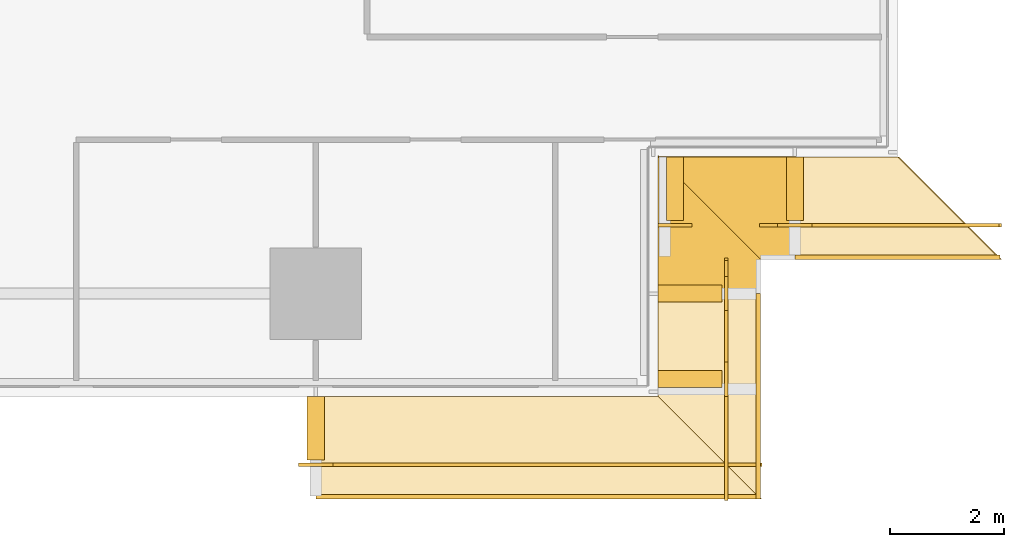
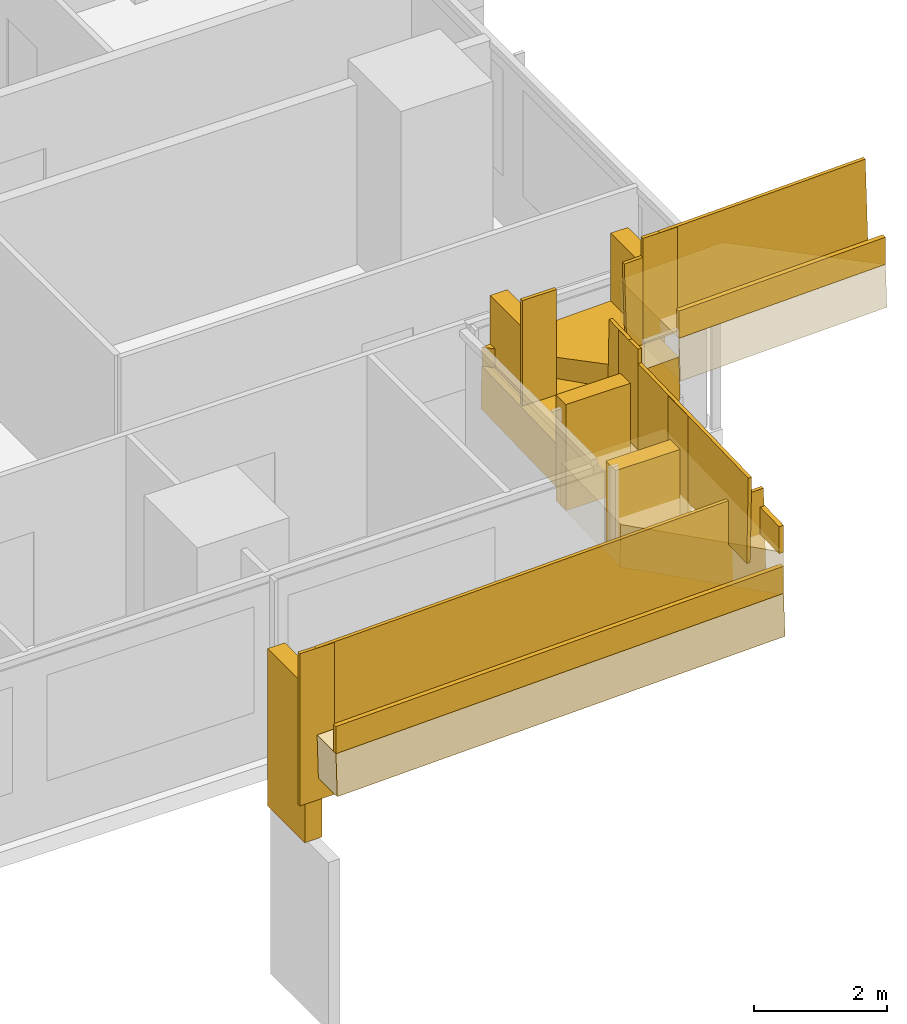
# One storey, part 28 of 30: 13 coverings, 10 railings.
"""IFC4 building model written with IfcOpenShell, lengths in metres."""

from ifc_helpers import new_model, si_unit, direction, frame, origin, origin_2d, place, context, subcontext, project, spatial, polyline, rectangle, outline, extrude, material, layer, layer_set, type_object, element, save


model = new_model("IFC4")

# Units and contexts
model_context = context("Model", 3, precision=1e-05, world=origin(), true_north=direction((0.0, 1.0)))
body_context = subcontext(model_context, "Body", "Model", "MODEL_VIEW")
ifc_project = project(units=[si_unit("LENGTHUNIT", "METRE"), si_unit("AREAUNIT", "SQUARE_METRE"), si_unit("VOLUMEUNIT", "CUBIC_METRE"), si_unit("PLANEANGLEUNIT", "RADIAN"), si_unit("MASSUNIT", "GRAM", prefix="KILO")], contexts=[model_context])

# Site, building, storey
site_placement = place(None, origin())
site = spatial("IfcSite", under=ifc_project, at=site_placement, CompositionType="ELEMENT")
building_placement = place(site_placement, origin())
building = spatial("IfcBuilding", under=site, at=building_placement, Name="Saffron Gate Tower", CompositionType="ELEMENT")
storey_placement = place(building_placement, frame((0.0, 0.0, 216.300048828125)))
storey = spatial("IfcBuildingStorey", under=building, at=storey_placement, Name="L52", CompositionType="ELEMENT", Elevation=216.300048828125)

# Coverings
ifc_material = material(Name="Timber, thermally modified ash", Category="wood")
ifc_layer_1 = layer(ifc_material, 0.800048828125)
ifc_layer_set_1 = layer_set([ifc_layer_1], Name="LD1 ledge timber")
covering_type_1 = type_object("IfcCoveringType", Name="LD1 ledge timber", PredefinedType="CLADDING", material=ifc_layer_set_1)
covering_1_placement = place(storey_placement, frame((117.0, 30.0, 1.2265625), z_axis=(-0.028789477025, -2.391759e-05, 0.999585496814), x_axis=(0.9995854971, 1.72e-10, 0.028789477033)))
element("IfcCovering", 1, at=covering_1_placement, inside=storey, type_object=covering_type_1, Name="LEDGE", PredefinedType="CLADDING", context=body_context, shape_type="SweptSolid", body=[
    extrude(outline(polyline([(0.0, 0.0), (6.002489288687248, 8.470329472543003e-22), (7.80328207139786, -1.8000488299785034), (-3.0879623774719253e-10, -1.8000488276101398), (0.0, 0.0)])), origin(), (0.0, 0.0, -1.0), 0.800048828125),
])
covering_2_placement = place(storey_placement, frame((123.0, 30.0, 2.2568359375), z_axis=(4.5191264e-05, -0.028786835276, 0.999585572161), x_axis=(2.041e-09, 0.999585573182, 0.028786835305)))
element("IfcCovering", 2, at=covering_2_placement, inside=storey, type_object=covering_type_1, Name="LEDGE", PredefinedType="CLADDING", context=body_context, shape_type="SweptSolid", body=[
    extrude(outline(polyline([(0.0, 0.0), (1.8007927832406818, 0.0), (1.8007927869153135, -1.800048826286925), (-1.8007998076020133, -1.8000488373153904), (0.0, 0.0)])), origin(), (0.0, 0.0, -1.0), 0.800048828125),
])
covering_3_placement = place(storey_placement, frame((123.0, 31.800048828125, 2.56591796875), z_axis=(-2.8677152e-05, -0.028798988267, 0.999585222706), x_axis=(-6.17e-10, 0.999585223117, 0.028798988279)))
element("IfcCovering", 3, at=covering_3_placement, inside=storey, type_object=covering_type_1, Name="LEDGE", PredefinedType="CLADDING", context=body_context, shape_type="SweptSolid", body=[
    extrude(outline(polyline([(0.0, 0.0), (2.400896693585025, 4.235164736271502e-22), (0.6001039103565923, -1.8000488292351675), (-1.1098572600196767e-09, -1.8000488273848385), (0.0, 0.0)])), origin(), (0.0, 0.0, -1.0), 0.800048828125),
])
covering_4_placement = place(storey_placement, frame((123.0, 34.199951171875, 2.97802734375), z_axis=(-0.028798988267, -2.8677152e-05, 0.999585222706), x_axis=(0.999585223117, -6.17e-10, 0.028798988279)))
element("IfcCovering", 4, at=covering_4_placement, inside=storey, type_object=covering_type_1, Name="LEDGE", PredefinedType="CLADDING", context=body_context, shape_type="SweptSolid", body=[
    extrude(outline(polyline([(0.0, 0.0), (2.400896693585025, -4.235164736271502e-22), (2.400896694694882, -1.8000488273848385), (1.8007927832284332, -1.8000488292351673), (0.0, 0.0)])), origin(), (0.0, 0.0, -1.0), 0.800048828125),
])
covering_5_placement = place(storey_placement, frame((125.39990234375, 34.199951171875, 3.39013671875), z_axis=(-0.028741681402, 0.0, 0.999586872538), x_axis=(0.999586872538, 0.0, 0.028741681402)))
element("IfcCovering", 5, at=covering_5_placement, inside=storey, type_object=covering_type_1, Name="LEDGE", PredefinedType="CLADDING", context=body_context, shape_type="SweptSolid", body=[
    extrude(outline(polyline([(0.0, 0.0), (1.8007927850779974, 0.0), (3.601585570155995, -1.800048828125), (0.0, -1.800048828125), (0.0, 0.0)])), origin(), (0.0, 0.0, -1.0), 0.800048828125),
])
ifc_layer_2 = layer(ifc_material, 0.080078125)
ifc_layer_set_2 = layer_set([ifc_layer_2], Name="LD2 ledge planter trough")
covering_type_2 = type_object("IfcCoveringType", Name="LD2 ledge planter trough", PredefinedType="CLADDING", material=ifc_layer_set_2)
covering_6_placement = place(storey_placement, frame((117.0, 28.199951171875, 1.2265625), z_axis=(0.0, -1.0, 0.0), x_axis=(0.999585655924, 0.0, 0.028783962047)))
element("IfcCovering", 6, at=covering_6_placement, inside=storey, type_object=covering_type_2, Name="LEDGE planter trough", PredefinedType="CLADDING", context=body_context, shape_type="SweptSolid", body=[
    extrude(outline(polyline([(0.0, 0.0), (7.803282071825423, 2.7755575615628914e-17), (7.817674052849086, 0.4997928279619612), (0.014391981023662846, 0.4997928279619612), (0.0, 0.0)])), origin(), (0.0, 0.0, -1.0), 0.080078125),
])
covering_7_placement = place(storey_placement, frame((124.800048828125, 28.199951171875, 2.204833984375), z_axis=(1.0, 0.0, 0.0), x_axis=(0.0, 0.99958492274, 0.028809412191)))
element("IfcCovering", 7, at=covering_7_placement, inside=storey, type_object=covering_type_2, Name="LEDGE planter trough", PredefinedType="CLADDING", context=body_context, shape_type="SweptSolid", body=[
    extrude(outline(polyline([(0.0, 0.0), (3.601592595435983, 0.0), (3.6159973015313485, 0.4997924613700232), (0.014404706095365512, 0.4997924613700232), (0.0, 0.0)])), origin(), (0.0, 0.0, -1.0), 0.080078125),
])
covering_8_placement = place(storey_placement, frame((125.39990234375, 32.39990234375, 3.39013671875), z_axis=(0.0, -1.0, 0.0), x_axis=(0.999586872538, 0.0, 0.028741681402)))
element("IfcCovering", 8, at=covering_8_placement, inside=storey, type_object=covering_type_2, Name="LEDGE planter trough", PredefinedType="CLADDING", context=body_context, shape_type="SweptSolid", body=[
    extrude(outline(polyline([(0.0, 0.0), (3.601585570155995, 0.0), (3.6159564108570694, 0.49979343626896944), (0.014370840701074394, 0.4997934362689694), (0.0, 0.0)])), origin(), (0.0, 0.0, -1.0), 0.080078125),
])
ifc_layer_3 = layer(ifc_material, 0.300048828125)
ifc_layer_set_3 = layer_set([ifc_layer_3], Name="LD3 ledge riser fin")
covering_type_3 = type_object("IfcCoveringType", Name="LD3 ledge riser fin", PredefinedType="CLADDING", material=ifc_layer_set_3)
covering_9_placement = place(storey_placement, frame((117.0, 29.43994140625, -0.77392578125), z_axis=(0.0, 0.0, 1.0), x_axis=(1.0, 0.0, 0.0)))
element("IfcCovering", 9, at=covering_9_placement, inside=storey, type_object=covering_type_3, Name="LEDGE riser fin", PredefinedType="CLADDING", context=body_context, shape_type="SweptSolid", body=[
    extrude(rectangle(XDim=0.300048828125, YDim=1.1201171875, at=origin_2d()), origin(), (0.0, 0.0, 1.0), 2.900390625),
])
covering_10_placement = place(storey_placement, frame((123.56005859375, 30.300048828125, 0.599609375), z_axis=(0.0, 0.0, 1.0), x_axis=(0.0, 1.0, 0.0)))
element("IfcCovering", 10, at=covering_10_placement, inside=storey, type_object=covering_type_3, Name="LEDGE riser fin", PredefinedType="CLADDING", context=body_context, shape_type="SweptSolid", body=[
    extrude(rectangle(XDim=0.300048828125, YDim=1.1201171875, at=origin_2d()), origin(), (0.0, 0.0, 1.0), 2.557373046875),
])
covering_11_placement = place(storey_placement, frame((123.56005859375, 31.800048828125, 1.5087890625), z_axis=(0.0, 0.0, 1.0), x_axis=(0.0, 1.0, 0.0)))
element("IfcCovering", 11, at=covering_11_placement, inside=storey, type_object=covering_type_3, Name="LEDGE riser fin", PredefinedType="CLADDING", context=body_context, shape_type="SweptSolid", body=[
    extrude(rectangle(XDim=0.300048828125, YDim=1.1201171875, at=origin_2d()), origin(), (0.0, 0.0, 1.0), 1.957275390625),
])
for number, where, z_axis, x_axis, name in (
    (12, (123.300048828125, 33.639892578125, 1.8349609375), (0.0, 0.0, 1.0), (1.0, 0.0, 0.0), "LEDGE riser fin"),
    (13, (125.39990234375, 33.639892578125, 2.2470703125), (0.0, 0.0, 1.0), (1.0, 0.0, 0.0), "LEDGE riser fin"),
):
    element("IfcCovering", number, at=place(storey_placement, frame(where, z_axis=z_axis, x_axis=x_axis)), inside=storey, type_object=covering_type_3, Name=name, PredefinedType="CLADDING", context=body_context, shape_type="SweptSolid", body=[
        extrude(rectangle(XDim=0.300048828125, YDim=1.1201171875, at=origin_2d()), origin(), (0.0, 0.0, 1.0), 2.04296875),
    ])

# Railings
railing_type = type_object("IfcRailingType", Name="LG1 ledge balustrade", PredefinedType="BALUSTRADE", material=ifc_material)
railing_1_placement = place(storey_placement, frame((117.0, 28.800048828125, 1.2265625)))
element("IfcRailing", 14, at=railing_1_placement, inside=storey, type_object=railing_type, Name="LEDGE BALUSTRADE", PredefinedType="BALUSTRADE", context=body_context, shape_type="SweptSolid", body=[
    extrude(rectangle(XDim=0.06005859375, YDim=1.60009765625, at=origin_2d()), frame((0.0, 0.0, 0.800048828125), z_axis=(0.999585655924, 0.0, 0.028783962047), x_axis=(0.0, 1.0, 0.0)), (0.0, 0.0, 1.0), 7.80322265625),
])
railing_2_placement = place(storey_placement, frame((116.699951171875, 28.800048828125, 0.026123046875)))
element("IfcRailing", 15, at=railing_2_placement, inside=storey, type_object=railing_type, Name="LEDGE BALUSTRADE", PredefinedType="BALUSTRADE", context=body_context, shape_type="SweptSolid", body=[
    extrude(rectangle(XDim=0.06005859375, YDim=2.80029296875, at=origin_2d()), frame((0.0, 0.0, 1.400146484375), z_axis=(1.0, 0.0, 0.0), x_axis=(0.0, 1.0, 0.0)), (0.0, 0.0, 1.0), 0.60009765625),
])
railing_3_placement = place(storey_placement, frame((124.199951171875, 28.199951171875, 2.204833984375)))
element("IfcRailing", 16, at=railing_3_placement, inside=storey, type_object=railing_type, Name="LEDGE BALUSTRADE", PredefinedType="BALUSTRADE", context=body_context, shape_type="SweptSolid", body=[
    extrude(rectangle(XDim=0.06005859375, YDim=1.60009765625, at=origin_2d()), frame((0.0, 0.0, 0.800048828125), z_axis=(0.0, 0.99958492274, 0.028809412191), x_axis=(-1.0, 0.0, 0.0)), (0.0, 0.0, 1.0), 3.6015625),
])
railing_4_placement = place(storey_placement, frame((124.199951171875, 30.0, 1.3994140625)))
element("IfcRailing", 17, at=railing_4_placement, inside=storey, type_object=railing_type, Name="LEDGE BALUSTRADE", PredefinedType="BALUSTRADE", context=body_context, shape_type="SweptSolid", body=[
    extrude(rectangle(XDim=0.06005859375, YDim=2.45751953125, at=origin_2d()), frame((0.0, 0.0, 1.228759765625), z_axis=(0.0, 1.0, 0.0), x_axis=(-1.0, 0.0, 0.0)), (0.0, 0.0, 1.0), 0.60009765625),
])
railing_5_placement = place(storey_placement, frame((124.199951171875, 31.800048828125, 2.56591796875)))
element("IfcRailing", 18, at=railing_5_placement, inside=storey, type_object=railing_type, Name="LEDGE BALUSTRADE", PredefinedType="BALUSTRADE", context=body_context, shape_type="SweptSolid", body=[
    extrude(rectangle(XDim=0.06005859375, YDim=1.60009765625, at=origin_2d()), frame((0.0, 0.0, 0.800048828125), z_axis=(0.0, 0.999582742162, 0.028884971385), x_axis=(-1.0, 0.0, 0.0)), (0.0, 0.0, 1.0), 0.60009765625),
])
railing_6_placement = place(storey_placement, frame((124.199951171875, 31.5, 2.30859375)))
element("IfcRailing", 19, at=railing_6_placement, inside=storey, type_object=railing_type, Name="LEDGE BALUSTRADE", PredefinedType="BALUSTRADE", context=body_context, shape_type="SweptSolid", body=[
    extrude(rectangle(XDim=0.06005859375, YDim=1.857177734375, at=origin_2d()), frame((0.0, 0.0, 0.9287109375), z_axis=(0.0, 1.0, 0.0), x_axis=(-1.0, 0.0, 0.0)), (0.0, 0.0, 1.0), 0.60009765625),
])
railing_7_placement = place(storey_placement, frame((124.800048828125, 33.0, 3.02978515625)))
element("IfcRailing", 20, at=railing_7_placement, inside=storey, type_object=railing_type, Name="LEDGE BALUSTRADE", PredefinedType="BALUSTRADE", context=body_context, shape_type="SweptSolid", body=[
    extrude(rectangle(XDim=0.06005859375, YDim=1.60009765625, at=origin_2d()), frame((0.0, 0.0, 0.800048828125), z_axis=(0.999582742162, 0.0, 0.028884971385), x_axis=(0.0, 1.0, 0.0)), (0.0, 0.0, 1.0), 0.60009765625),
])
railing_8_placement = place(storey_placement, frame((123.0, 33.0, 2.635009765625)))
element("IfcRailing", 21, at=railing_8_placement, inside=storey, type_object=railing_type, Name="LEDGE BALUSTRADE", PredefinedType="BALUSTRADE", context=body_context, shape_type="SweptSolid", body=[
    extrude(rectangle(XDim=0.06005859375, YDim=1.943115234375, at=origin_2d()), frame((0.0, 0.0, 0.9716796875), z_axis=(1.0, 0.0, 0.0), x_axis=(0.0, 1.0, 0.0)), (0.0, 0.0, 1.0), 0.60009765625),
])
railing_9_placement = place(storey_placement, frame((125.39990234375, 33.0, 3.39013671875)))
element("IfcRailing", 22, at=railing_9_placement, inside=storey, type_object=railing_type, Name="LEDGE BALUSTRADE", PredefinedType="BALUSTRADE", context=body_context, shape_type="SweptSolid", body=[
    extrude(rectangle(XDim=0.06005859375, YDim=1.60009765625, at=origin_2d()), frame((0.0, 0.0, 0.800048828125), z_axis=(0.999586872538, 0.0, 0.028741681402), x_axis=(0.0, 1.0, 0.0)), (0.0, 0.0, 1.0), 3.6015625),
])
railing_10_placement = place(storey_placement, frame((125.10009765625, 33.0, 3.047119140625)))
element("IfcRailing", 23, at=railing_10_placement, inside=storey, type_object=railing_type, Name="LEDGE BALUSTRADE", PredefinedType="BALUSTRADE", context=body_context, shape_type="SweptSolid", body=[
    extrude(rectangle(XDim=0.06005859375, YDim=1.943115234375, at=origin_2d()), frame((0.0, 0.0, 0.9716796875), z_axis=(1.0, 0.0, 0.0), x_axis=(0.0, 1.0, 0.0)), (0.0, 0.0, 1.0), 0.599853515625),
])

save(model, "model.ifc")
